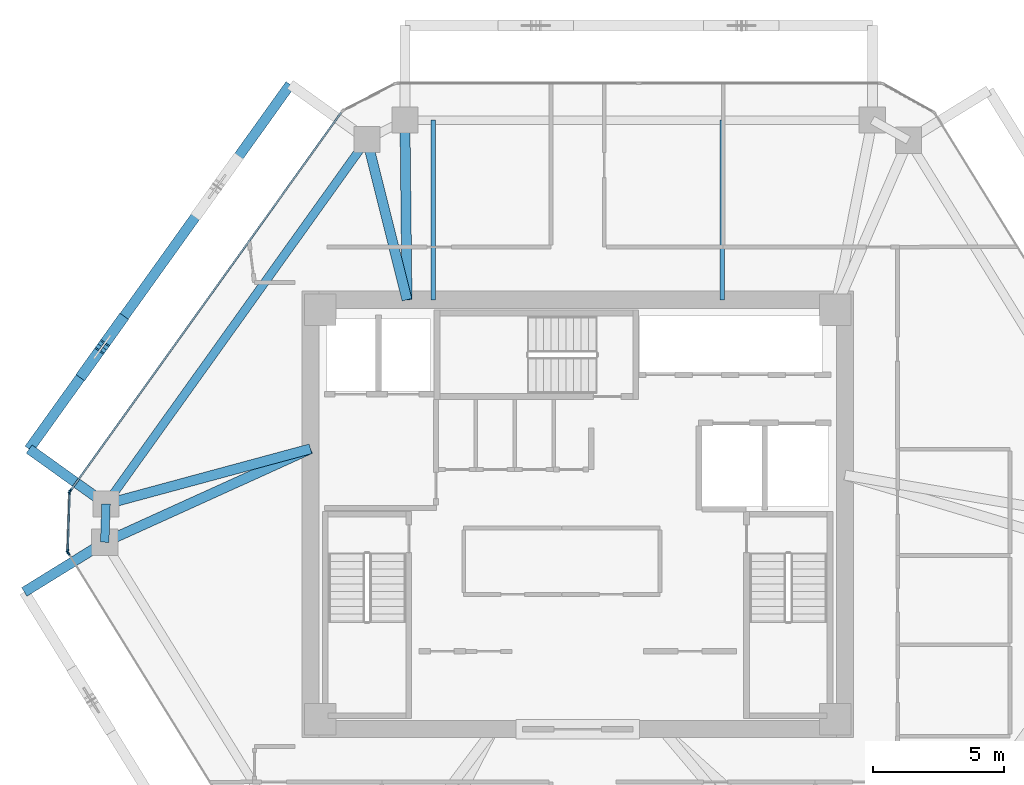
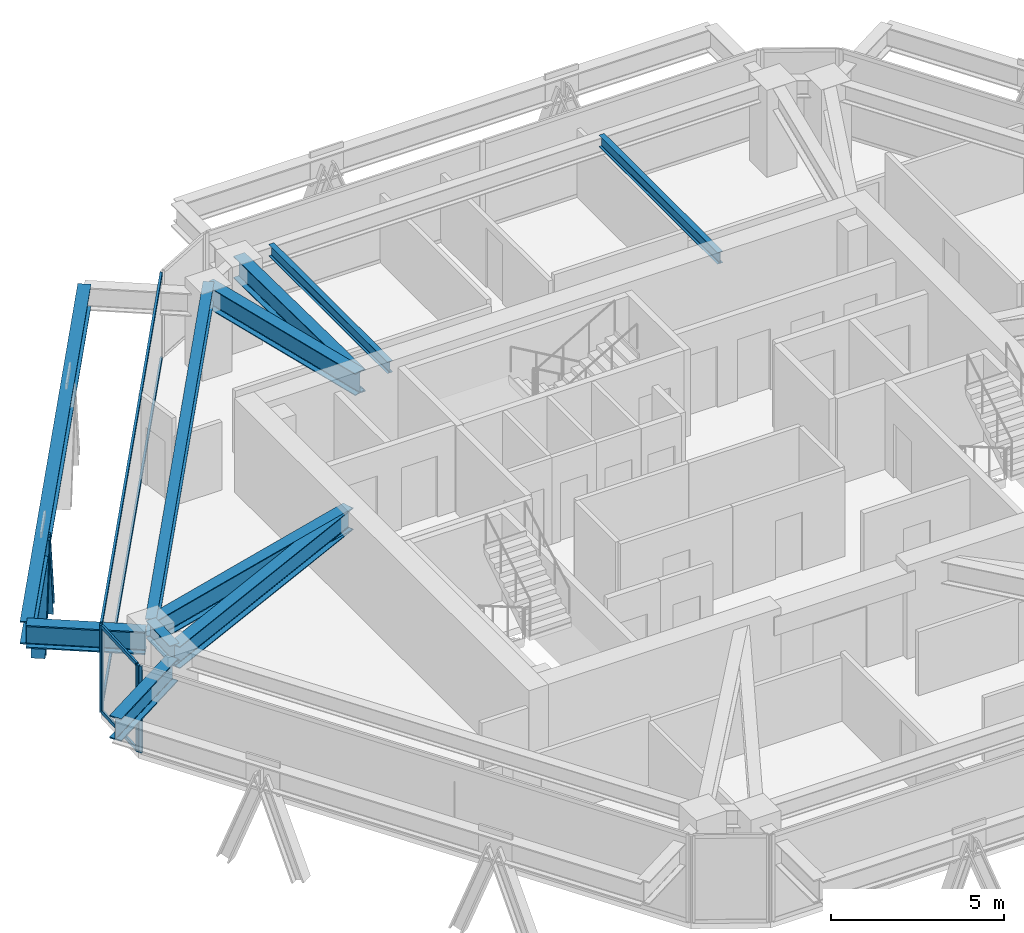
# One storey, part 4 of 14: 11 beams, 10 members, 3 elements without a shape of their own.
"""IFC4 building model written with IfcOpenShell, lengths in metres."""

from ifc_helpers import new_model, si_unit, direction, frame, origin, origin_2d, place, context, subcontext, project, spatial, rectangle, i_section, extrude, source, transform, mapped, material, layer, layer_set, material_profile, profile_set, type_object, type_shapes, element, aggregate, save


model = new_model("IFC4")

# Units and contexts
model_context = context("Model", 3, precision=1e-05, world=origin(), true_north=direction((0.0, 1.0)))
body_context = subcontext(model_context, "Body", "Model", "MODEL_VIEW")
ifc_project = project(units=[si_unit("LENGTHUNIT", "METRE"), si_unit("AREAUNIT", "SQUARE_METRE"), si_unit("VOLUMEUNIT", "CUBIC_METRE"), si_unit("PLANEANGLEUNIT", "RADIAN"), si_unit("MASSUNIT", "GRAM", prefix="KILO")], contexts=[model_context])

# Site, building, storey
site_placement = place(None, origin())
site = spatial("IfcSite", under=ifc_project, at=site_placement, CompositionType="ELEMENT")
building_placement = place(site_placement, origin())
building = spatial("IfcBuilding", under=site, at=building_placement, Name="Durnholm Broadcast Tower", CompositionType="ELEMENT")
storey_placement = place(building_placement, frame((0.0, 0.0, 193.60009765625)))
storey = spatial("IfcBuildingStorey", under=building, at=storey_placement, Name="L53", CompositionType="ELEMENT", Elevation=193.60009765625)

# Beams
ifc_material_1 = material(Name="Steel ASTM A992 Grade 50", Category="steel")
ifc_material_profile_1 = material_profile(ifc_material_1, i_section(OverallWidth=0.385009765625, OverallDepth=0.802978515625, WebThickness=0.023681640625, FlangeThickness=0.0419921875, FilletRadius=0.032958984375, at=origin_2d()), Name="W30X261")
ifc_profile_set_1 = profile_set([ifc_material_profile_1], Name="Steel ASTM A992 Grade 50")
beam_type_1 = type_object("IfcBeamType", Name="BM-EXO-TIE", PredefinedType="USERDEFINED", material=ifc_profile_set_1)
shared_shape_1 = source(origin(), body_context, "Body", "SweptSolid", [
    extrude(i_section(OverallWidth=0.385009765625, OverallDepth=0.802978515625, WebThickness=0.023681640625, FlangeThickness=0.0419921875, FilletRadius=0.032958984375, at=origin_2d()), origin(), (0.0, 0.0, 1.0), 3.4560546875),
])
beam_1_placement = place(storey_placement, frame((-18.131591796875, -1.13232421875, 2.308349609375), z_axis=(-0.850662348375, -0.525712439512, 0.0), x_axis=(0.525712439512, -0.850662348375, 0.0)))
element("IfcBeam", 1, at=beam_1_placement, inside=storey, type_object=beam_type_1, Name="L53 exoskeleton stand-off tie bracket F6.1", ObjectType="GIRDER", PredefinedType="USERDEFINED", context=body_context, shape_type="MappedRepresentation", body=[
    mapped(shared_shape_1, transform((0.0, 0.0, 0.0), x_axis=(1.0, 0.0, 0.0), y_axis=(0.0, 1.0, 0.0), z_axis=(0.0, 0.0, 1.0), scale=1.0)),
])
shared_shape_2 = source(origin(), body_context, "Body", "SweptSolid", [
    extrude(i_section(OverallWidth=0.385009765625, OverallDepth=0.802978515625, WebThickness=0.023681640625, FlangeThickness=0.0419921875, FilletRadius=0.032958984375, at=origin_2d()), origin(), (0.0, 0.0, 1.0), 3.455810546875),
])
beam_2_placement = place(storey_placement, frame((-18.076904296875, 0.4794921875, 2.308349609375), z_axis=(-0.813112485828, 0.582106592808, 0.0), x_axis=(-0.582106592808, -0.813112485828, 0.0)))
element("IfcBeam", 2, at=beam_2_placement, inside=storey, type_object=beam_type_1, Name="L53 exoskeleton stand-off tie bracket F5.2", ObjectType="GIRDER", PredefinedType="USERDEFINED", context=body_context, shape_type="MappedRepresentation", body=[
    mapped(shared_shape_2, transform((0.0, 0.0, 0.0), x_axis=(1.0, 0.0, 0.0), y_axis=(0.0, 1.0, 0.0), z_axis=(0.0, 0.0, 1.0), scale=1.0)),
])
ifc_material_profile_2 = material_profile(ifc_material_1, i_section(OverallWidth=0.3251953125, OverallDepth=0.6162109375, WebThickness=0.013916015625, FlangeThickness=0.021484375, FilletRadius=0.02783203125, at=origin_2d()), Name="W24X117")
ifc_profile_set_2 = profile_set([ifc_material_profile_2], Name="Steel ASTM A992 Grade 50")
beam_type_2 = type_object("IfcBeamType", Name="STL-SP-W24X117", PredefinedType="SPANDREL", material=ifc_profile_set_2)
shared_shape_3 = source(origin(), body_context, "Body", "SweptSolid", [
    extrude(i_section(OverallWidth=0.3251953125, OverallDepth=0.6162109375, WebThickness=0.013916015625, FlangeThickness=0.021484375, FilletRadius=0.02783203125, at=origin_2d()), origin(), (0.0, 0.0, 1.0), 1.452880859375),
])
beam_3_placement = place(storey_placement, frame((-18.009033203125, -1.056640625, 2.73681640625), z_axis=(0.03377359304, 0.999429509477, 0.0), x_axis=(-0.999429509477, 0.03377359304, 0.0)))
element("IfcBeam", 3, at=beam_3_placement, inside=storey, type_object=beam_type_2, Name="L53 perimeter spandrel girder 02", PredefinedType="SPANDREL", context=body_context, shape_type="MappedRepresentation", body=[
    mapped(shared_shape_3, transform((0.0, 0.0, 0.0), x_axis=(1.0, 0.0, 0.0), y_axis=(0.0, 1.0, 0.0), z_axis=(0.0, 0.0, 1.0), scale=1.0)),
])
shared_shape_4 = source(origin(), body_context, "Body", "SweptSolid", [
    extrude(i_section(OverallWidth=0.3251953125, OverallDepth=0.6162109375, WebThickness=0.013916015625, FlangeThickness=0.021484375, FilletRadius=0.02783203125, at=origin_2d()), origin(), (0.0, 0.0, 1.0), 17.07177734375),
])
type_shapes(beam_type_2, [shared_shape_3, shared_shape_4])
beam_4_placement = place(storey_placement, frame((-17.9599609375, 0.3955078125, 2.73681640625), z_axis=(0.582142843258, 0.813086532937, 0.0), x_axis=(-0.813086532937, 0.582142843258, 0.0)))
element("IfcBeam", 4, at=beam_4_placement, inside=storey, type_object=beam_type_2, Name="L53 perimeter spandrel girder 03", PredefinedType="SPANDREL", context=body_context, shape_type="MappedRepresentation", body=[
    mapped(shared_shape_4, transform((0.0, 0.0, 0.0), x_axis=(1.0, 0.0, 0.0), y_axis=(0.0, 1.0, 0.0), z_axis=(0.0, 0.0, 1.0), scale=1.0)),
])
shared_shape_5 = source(origin(), body_context, "Body", "SweptSolid", [
    extrude(i_section(OverallWidth=0.385009765625, OverallDepth=0.802978515625, WebThickness=0.023681640625, FlangeThickness=0.0419921875, FilletRadius=0.032958984375, at=origin_2d()), origin(), (0.0, 0.0, 1.0), 17.07177734375),
])
type_shapes(beam_type_1, [shared_shape_1, shared_shape_2, shared_shape_5])
beam_5_placement = place(storey_placement, frame((-10.948974609375, 16.3720703125, 2.308349609375), z_axis=(-0.582133388739, -0.813093301974, 0.0), x_axis=(0.813093301974, -0.582133388739, 0.0)))
element("IfcBeam", 5, at=beam_5_placement, inside=storey, type_object=beam_type_1, Name="L53 exoskeleton collector spandrel F5", PredefinedType="SPANDREL", context=body_context, shape_type="MappedRepresentation", body=[
    mapped(shared_shape_5, transform((0.0, 0.0, 0.0), x_axis=(1.0, 0.0, 0.0), y_axis=(0.0, 1.0, 0.0), z_axis=(0.0, 0.0, 1.0), scale=1.0)),
])
ifc_material_profile_3 = material_profile(ifc_material_1, i_section(OverallWidth=0.380615234375, OverallDepth=0.773193359375, WebThickness=0.0166015625, FlangeThickness=0.027099609375, FilletRadius=0.032958984375, at=origin_2d()), Name="W30X173")
ifc_profile_set_3 = profile_set([ifc_material_profile_3], Name="Steel ASTM A992 Grade 50")
beam_type_3 = type_object("IfcBeamType", Name="STL-GR-W30X173", PredefinedType="USERDEFINED", material=ifc_profile_set_3)
shared_shape_6 = source(origin(), body_context, "Body", "SweptSolid", [
    extrude(i_section(OverallWidth=0.380615234375, OverallDepth=0.773193359375, WebThickness=0.0166015625, FlangeThickness=0.027099609375, FilletRadius=0.032958984375, at=origin_2d()), origin(), (0.0, 0.0, 1.0), 8.603515625),
])
beam_6_placement = place(storey_placement, frame((-10.175048828125, 2.5, 2.658203125), z_axis=(-0.910552971728, -0.413392411248, 0.0), x_axis=(0.413392411248, -0.910552971728, 0.0)))
element("IfcBeam", 6, at=beam_6_placement, inside=storey, type_object=beam_type_3, Name="L53 radial primary floor girder 02", ObjectType="GIRDER", PredefinedType="USERDEFINED", context=body_context, shape_type="MappedRepresentation", body=[
    mapped(shared_shape_6, transform((0.0, 0.0, 0.0), x_axis=(1.0, 0.0, 0.0), y_axis=(0.0, 1.0, 0.0), z_axis=(0.0, 0.0, 1.0), scale=1.0)),
])
shared_shape_7 = source(origin(), body_context, "Body", "SweptSolid", [
    extrude(i_section(OverallWidth=0.380615234375, OverallDepth=0.773193359375, WebThickness=0.0166015625, FlangeThickness=0.027099609375, FilletRadius=0.032958984375, at=origin_2d()), origin(), (0.0, 0.0, 1.0), 8.064453125),
])
beam_7_placement = place(storey_placement, frame((-10.175048828125, 2.5, 2.658203125), z_axis=(-0.96534896552, -0.260962401066, 0.0), x_axis=(0.260962401066, -0.96534896552, 0.0)))
element("IfcBeam", 7, at=beam_7_placement, inside=storey, type_object=beam_type_3, Name="L53 radial primary floor girder 03", ObjectType="GIRDER", PredefinedType="USERDEFINED", context=body_context, shape_type="MappedRepresentation", body=[
    mapped(shared_shape_7, transform((0.0, 0.0, 0.0), x_axis=(1.0, 0.0, 0.0), y_axis=(0.0, 1.0, 0.0), z_axis=(0.0, 0.0, 1.0), scale=1.0)),
])
shared_shape_8 = source(origin(), body_context, "Body", "SweptSolid", [
    extrude(i_section(OverallWidth=0.380615234375, OverallDepth=0.773193359375, WebThickness=0.0166015625, FlangeThickness=0.027099609375, FilletRadius=0.032958984375, at=origin_2d()), origin(), (0.0, 0.0, 1.0), 6.288330078125),
])
beam_8_placement = place(storey_placement, frame((-6.5, 8.175048828125, 2.658203125), z_axis=(-0.241996604408, 0.970277096223, 0.0), x_axis=(-0.970277096223, -0.241996604408, 0.0)))
element("IfcBeam", 8, at=beam_8_placement, inside=storey, type_object=beam_type_3, Name="L53 radial primary floor girder 04", ObjectType="GIRDER", PredefinedType="USERDEFINED", context=body_context, shape_type="MappedRepresentation", body=[
    mapped(shared_shape_8, transform((0.0, 0.0, 0.0), x_axis=(1.0, 0.0, 0.0), y_axis=(0.0, 1.0, 0.0), z_axis=(0.0, 0.0, 1.0), scale=1.0)),
])
shared_shape_9 = source(origin(), body_context, "Body", "SweptSolid", [
    extrude(i_section(OverallWidth=0.380615234375, OverallDepth=0.773193359375, WebThickness=0.0166015625, FlangeThickness=0.027099609375, FilletRadius=0.032958984375, at=origin_2d()), origin(), (0.0, 0.0, 1.0), 6.843505859375),
])
type_shapes(beam_type_3, [shared_shape_6, shared_shape_7, shared_shape_8, shared_shape_9])
beam_9_placement = place(storey_placement, frame((-6.5, 8.175048828125, 2.658203125), z_axis=(-0.011487343604, 0.999934018292, 0.0), x_axis=(-0.999934018292, -0.011487343604, 0.0)))
element("IfcBeam", 9, at=beam_9_placement, inside=storey, type_object=beam_type_3, Name="L53 radial primary floor girder 05", ObjectType="GIRDER", PredefinedType="USERDEFINED", context=body_context, shape_type="MappedRepresentation", body=[
    mapped(shared_shape_9, transform((0.0, 0.0, 0.0), x_axis=(1.0, 0.0, 0.0), y_axis=(0.0, 1.0, 0.0), z_axis=(0.0, 0.0, 1.0), scale=1.0)),
])
ifc_material_profile_4 = material_profile(ifc_material_1, i_section(OverallWidth=0.177734375, OverallDepth=0.40673828125, WebThickness=0.0078125, FlangeThickness=0.0126953125, FilletRadius=0.01904296875, at=origin_2d()), Name="W16X40")
ifc_profile_set_4 = profile_set([ifc_material_profile_4], Name="Steel ASTM A992 Grade 50")
beam_type_4 = type_object("IfcBeamType", Name="STL-BJ-W16X40", PredefinedType="JOIST", material=ifc_profile_set_4)
shared_shape_10 = source(origin(), body_context, "Body", "SweptSolid", [
    extrude(i_section(OverallWidth=0.177734375, OverallDepth=0.40673828125, WebThickness=0.0078125, FlangeThickness=0.0126953125, FilletRadius=0.01904296875, at=origin_2d()), origin(), (0.0, 0.0, 1.0), 6.843017578125),
])
type_shapes(beam_type_4, [shared_shape_10])
for number, where, z_axis, x_axis, name in (
    (10, (-5.5, 8.175048828125, 2.841552734375), (0.0, 1.0, 0.0), (-1.0, 0.0, 0.0), "L53 secondary floor joist 3.2"),
    (11, (5.5, 8.175048828125, 2.841552734375), (0.0, 1.0, 0.0), (-1.0, 0.0, 0.0), "L53 secondary floor joist 4.2"),
):
    element("IfcBeam", number, at=place(storey_placement, frame(where, z_axis=z_axis, x_axis=x_axis)), inside=storey, type_object=beam_type_4, Name=name, PredefinedType="JOIST", context=body_context, shape_type="MappedRepresentation", body=[
        mapped(shared_shape_10, transform((0.0, 0.0, 0.0), x_axis=(1.0, 0.0, 0.0), y_axis=(0.0, 1.0, 0.0), z_axis=(0.0, 0.0, 1.0), scale=1.0)),
    ])

# Members
ifc_material_2 = material(Name="Steel ASTM A913 Grade 65", Category="steel")
ifc_material_profile_5 = material_profile(ifc_material_2, i_section(OverallWidth=0.412109375, OverallDepth=0.434814453125, WebThickness=0.035888671875, FlangeThickness=0.057373046875, FilletRadius=0.030517578125, at=origin_2d()), Name="W14X311")
ifc_profile_set_5 = profile_set([ifc_material_profile_5], Name="Steel ASTM A913 Grade 65")
member_type_1 = type_object("IfcMemberType", Name="STL-DG-W14X311", PredefinedType="BRACE", material=ifc_profile_set_5)
shared_shape_11 = source(origin(), body_context, "Body", "SweptSolid", [
    extrude(i_section(OverallWidth=0.412109375, OverallDepth=0.434814453125, WebThickness=0.035888671875, FlangeThickness=0.057373046875, FilletRadius=0.030517578125, at=origin_2d()), origin(), (0.0, 0.0, 1.0), 3.52294921875),
])
type_shapes(member_type_1, [shared_shape_11])
for number, where, z_axis, x_axis, name in (
    (12, (-17.38623046875, 7.381103515625, -0.991455078125), (-0.203882467945, -0.284756308901, 0.936667381628), (0.813077820009, -0.582155012526, 0.0), "L53 stand-off diagrid brace F5.D2.1"),
    (13, (-18.822509765625, 5.374755859375, -0.991455078125), (0.203816046596, 0.284760331677, 0.936680614005), (-0.813171482985, 0.58202417412, 0.0), "L53 stand-off diagrid brace F5.D2.2"),
):
    element("IfcMember", number, at=place(storey_placement, frame(where, z_axis=z_axis, x_axis=x_axis)), inside=storey, type_object=member_type_1, Name=name, PredefinedType="BRACE", context=body_context, shape_type="MappedRepresentation", body=[
        mapped(shared_shape_11, transform((0.0, 0.0, 0.0), x_axis=(1.0, 0.0, 0.0), y_axis=(0.0, 1.0, 0.0), z_axis=(0.0, 0.0, 1.0), scale=1.0)),
    ])

# Curtain wall, members
ifc_material_3 = material(Name="Aluminium and Solar Control IGU", Category="aluminium")
ifc_layer_1 = layer(ifc_material_3, 0.1650390625)
ifc_layer_set_1 = layer_set([ifc_layer_1], Name="Aluminium and Solar Control IGU")
curtain_wall_type_1 = type_object("IfcCurtainWallType", Name="CW-SYS-5", PredefinedType="NOTDEFINED", material=ifc_layer_set_1)
curtain_wall_1_placement = place(storey_placement, origin())
curtain_wall_1 = element("IfcCurtainWall", 14, at=curtain_wall_1_placement, inside=storey, type_object=curtain_wall_type_1, Name="L53 curtain wall CW-CORNER CW-L53-CRN-01", PredefinedType="NOTDEFINED")
ifc_material_4 = material(Name="Aluminium 6063-T6", Category="aluminium")
ifc_material_profile_6 = material_profile(ifc_material_4, rectangle(XDim=0.06494140625, YDim=0.1650390625, at=origin_2d()), Name="CWM65X165")
ifc_profile_set_6 = profile_set([ifc_material_profile_6], Name="Aluminium 6063-T6")
member_type_2 = type_object("IfcMemberType", Name="CW-SYS-5-MUL", PredefinedType="MULLION", material=ifc_profile_set_6)
shared_shape_12 = source(origin(), body_context, "Body", "SweptSolid", [
    extrude(rectangle(XDim=0.06494140625, YDim=0.1650390625, at=origin_2d()), origin(), (0.0, 0.0, 1.0), 3.059814453125),
])
type_shapes(member_type_2, [shared_shape_12])
member_1_placement = place(storey_placement, frame((-19.421630859375, -1.39990234375, 0.0), z_axis=(0.0, 0.0, 1.0), x_axis=(-0.999424798802, 0.033912704699, 0.0)))
member_1 = element("IfcMember", 15, at=member_1_placement, type_object=member_type_2, Name="CW-CORNER mullion 1", PredefinedType="MULLION", context=body_context, shape_type="MappedRepresentation", body=[
    mapped(shared_shape_12, transform((0.0, 0.0, 0.0), x_axis=(1.0, 0.0, 0.0), y_axis=(0.0, 1.0, 0.0), z_axis=(0.0, 0.0, 1.0), scale=1.0)),
])
member_2_placement = place(storey_placement, frame((-19.345703125, 0.833740234375, 0.0), z_axis=(0.0, 0.0, 1.0), x_axis=(-0.999424798802, 0.033912704699, 0.0)))
member_2 = element("IfcMember", 16, at=member_2_placement, type_object=member_type_2, Name="CW-CORNER mullion 2", PredefinedType="MULLION", context=body_context, shape_type="MappedRepresentation", body=[
    mapped(shared_shape_12, transform((0.0, 0.0, 0.0), x_axis=(1.0, 0.0, 0.0), y_axis=(0.0, 1.0, 0.0), z_axis=(0.0, 0.0, 1.0), scale=1.0)),
])
ifc_material_profile_7 = material_profile(ifc_material_4, rectangle(XDim=0.06494140625, YDim=0.1298828125, at=origin_2d()), Name="CWT65X130")
ifc_profile_set_7 = profile_set([ifc_material_profile_7], Name="Aluminium 6063-T6")
member_type_3 = type_object("IfcMemberType", Name="CW-SYS-5-TRN", PredefinedType="USERDEFINED", material=ifc_profile_set_7)
shared_shape_13 = source(origin(), body_context, "Body", "SweptSolid", [
    extrude(rectangle(XDim=0.06494140625, YDim=0.1298828125, at=origin_2d()), origin(), (0.0, 0.0, 1.0), 2.169921875),
])
type_shapes(member_type_3, [shared_shape_13])
member_3_placement = place(storey_placement, frame((-19.42041015625, -1.367431640625, 0.032470703125), z_axis=(0.033865512339, 0.999426399028, 0.0), x_axis=(-0.999426399028, 0.033865512339, 0.0)))
member_3 = element("IfcMember", 17, at=member_3_placement, type_object=member_type_3, Name="CW-CORNER transom 1.1", ObjectType="TRANSOM", PredefinedType="USERDEFINED", context=body_context, shape_type="MappedRepresentation", body=[
    mapped(shared_shape_13, transform((0.0, 0.0, 0.0), x_axis=(1.0, 0.0, 0.0), y_axis=(0.0, 1.0, 0.0), z_axis=(0.0, 0.0, 1.0), scale=1.0)),
])
member_4_placement = place(storey_placement, frame((-19.42041015625, -1.367431640625, 3.02734375), z_axis=(0.033865512339, 0.999426399028, 0.0), x_axis=(-0.999426399028, 0.033865512339, 0.0)))
member_4 = element("IfcMember", 18, at=member_4_placement, type_object=member_type_3, Name="CW-CORNER transom 1.2", ObjectType="TRANSOM", PredefinedType="USERDEFINED", context=body_context, shape_type="MappedRepresentation", body=[
    mapped(shared_shape_13, transform((0.0, 0.0, 0.0), x_axis=(1.0, 0.0, 0.0), y_axis=(0.0, 1.0, 0.0), z_axis=(0.0, 0.0, 1.0), scale=1.0)),
])
aggregate(curtain_wall_1, [member_1, member_2, member_3, member_4])

ifc_layer_2 = layer(ifc_material_3, 0.18994140625)
ifc_layer_set_2 = layer_set([ifc_layer_2], Name="Aluminium and Solar Control IGU")
curtain_wall_type_2 = type_object("IfcCurtainWallType", Name="CW-SYS-4", PredefinedType="NOTDEFINED", material=ifc_layer_set_2)
curtain_wall_2_placement = place(storey_placement, origin())
curtain_wall_2 = element("IfcCurtainWall", 19, at=curtain_wall_2_placement, inside=storey, type_object=curtain_wall_type_2, Name="L53 curtain wall CW-Z34-VIS CW-L53-F02", PredefinedType="NOTDEFINED")
ifc_material_profile_8 = material_profile(ifc_material_4, rectangle(XDim=0.070068359375, YDim=0.14990234375, at=origin_2d()), Name="CWT70X150")
ifc_profile_set_8 = profile_set([ifc_material_profile_8], Name="Aluminium 6063-T6")
member_type_4 = type_object("IfcMemberType", Name="CW-SYS-4-TRN", PredefinedType="USERDEFINED", material=ifc_profile_set_8)
shared_shape_14 = source(origin(), body_context, "Body", "SweptSolid", [
    extrude(rectangle(XDim=0.070068359375, YDim=0.14990234375, at=origin_2d()), origin(), (0.0, 0.0, 1.0), 17.69384765625),
])
type_shapes(member_type_4, [shared_shape_14])
member_5_placement = place(storey_placement, frame((-19.303955078125, 0.923095703125, 0.034912109375), z_axis=(0.582138438195, 0.813089686797, 0.0), x_axis=(-0.813089686797, 0.582138438195, 0.0)))
member_5 = element("IfcMember", 20, at=member_5_placement, type_object=member_type_4, Name="CW-Z34-VIS transom 1.1", ObjectType="TRANSOM", PredefinedType="USERDEFINED", context=body_context, shape_type="MappedRepresentation", body=[
    mapped(shared_shape_14, transform((0.0, 0.0, 0.0), x_axis=(1.0, 0.0, 0.0), y_axis=(0.0, 1.0, 0.0), z_axis=(0.0, 0.0, 1.0), scale=1.0)),
])
member_6_placement = place(storey_placement, frame((-19.303955078125, 0.923095703125, 3.02490234375), z_axis=(0.582138438195, 0.813089686797, 0.0), x_axis=(-0.813089686797, 0.582138438195, 0.0)))
member_6 = element("IfcMember", 21, at=member_6_placement, type_object=member_type_4, Name="CW-Z34-VIS transom 1.2", ObjectType="TRANSOM", PredefinedType="USERDEFINED", context=body_context, shape_type="MappedRepresentation", body=[
    mapped(shared_shape_14, transform((0.0, 0.0, 0.0), x_axis=(1.0, 0.0, 0.0), y_axis=(0.0, 1.0, 0.0), z_axis=(0.0, 0.0, 1.0), scale=1.0)),
])
ifc_material_profile_9 = material_profile(ifc_material_4, rectangle(XDim=0.070068359375, YDim=0.18994140625, at=origin_2d()), Name="CWM70X190")
ifc_profile_set_9 = profile_set([ifc_material_profile_9], Name="Aluminium 6063-T6")
member_type_5 = type_object("IfcMemberType", Name="CW-SYS-4-MUL", PredefinedType="MULLION", material=ifc_profile_set_9)
shared_shape_15 = source(origin(), body_context, "Body", "SweptSolid", [
    extrude(rectangle(XDim=0.070068359375, YDim=0.18994140625, at=origin_2d()), origin(), (0.0, 0.0, 1.0), 3.059814453125),
])
type_shapes(member_type_5, [shared_shape_15])
member_7_placement = place(storey_placement, frame((-19.32421875, 0.894775390625, 0.0), z_axis=(0.0, 0.0, 1.0), x_axis=(-0.813089262696, 0.582139030549, 0.0)))
member_7 = element("IfcMember", 22, at=member_7_placement, type_object=member_type_5, Name="CW-Z34-VIS mullion 1", PredefinedType="MULLION", context=body_context, shape_type="MappedRepresentation", body=[
    mapped(shared_shape_15, transform((0.0, 0.0, 0.0), x_axis=(1.0, 0.0, 0.0), y_axis=(0.0, 1.0, 0.0), z_axis=(0.0, 0.0, 1.0), scale=1.0)),
])
aggregate(curtain_wall_2, [member_7, member_5, member_6])

# Curtain wall, member
curtain_wall_3_placement = place(storey_placement, origin())
curtain_wall_3 = element("IfcCurtainWall", 23, at=curtain_wall_3_placement, inside=storey, type_object=curtain_wall_type_2, Name="L53 curtain wall CW-Z34-VIS CW-L53-F12", PredefinedType="NOTDEFINED")
member_8_placement = place(storey_placement, frame((-19.404296875, -1.462158203125, 0.0), z_axis=(0.0, 0.0, 1.0), x_axis=(-0.850671426092, -0.525697750452, 0.0)))
member_8 = element("IfcMember", 24, at=member_8_placement, type_object=member_type_5, Name="CW-Z34-VIS mullion 2", PredefinedType="MULLION", context=body_context, shape_type="MappedRepresentation", body=[
    mapped(shared_shape_15, transform((0.0, 0.0, 0.0), x_axis=(1.0, 0.0, 0.0), y_axis=(0.0, 1.0, 0.0), z_axis=(0.0, 0.0, 1.0), scale=1.0)),
])
aggregate(curtain_wall_3, [member_8])

save(model, "model.ifc")
